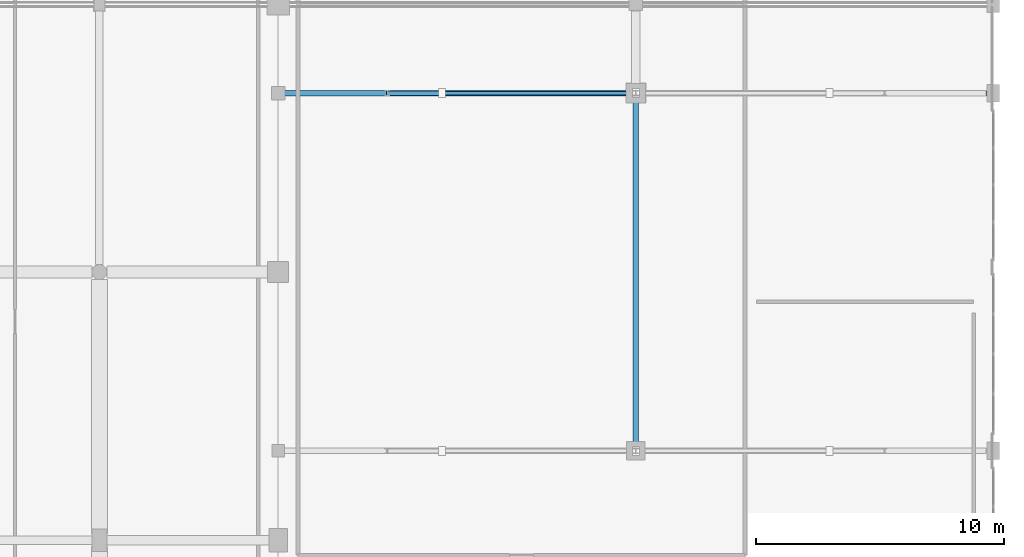
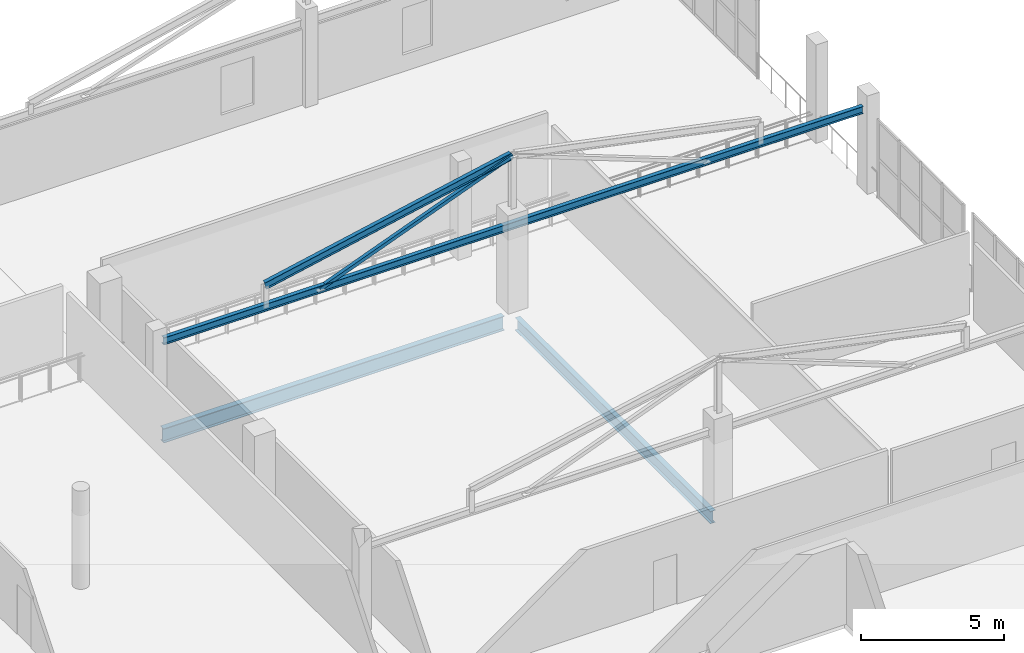
# One storey, part 36 of 92: 4 beams, 1 member.
"""IFC4 building model written with IfcOpenShell, lengths in metres."""

import ifcopenshell
import ifcopenshell.guid

model = None  # the IFC model being written
_history = None  # IfcOwnerHistory: only IFC2X3 demands one
_inside = {}  # id of a spatial element -> (the spatial element, [elements in it])
_under = {}  # id of a project, library or spatial element -> (it, [spatial elements below it])
_declared = {}  # id of a project -> (the project, [libraries it declares])
_typed = {}  # id of a type object -> (the type object, [elements of that type])
_made_of = {}  # id of a material, layer set ... -> (it, [elements and type objects made of it])


def new_model(schema):
    """Start an empty IFC model of exactly this schema.

    Asked for "IFC4X3", IfcOpenShell would pick the latest addendum, in which some entities
    have other attributes; the version numbers below select the first issue.
    IFC2X3 requires an IfcOwnerHistory on every rooted entity: one is made here for all.
    """
    global model, _history
    if schema == "IFC4X3":
        model = ifcopenshell.file(schema_version=(4, 3, 0, 0))
    else:
        model = ifcopenshell.file(schema=schema)
    _inside.clear()
    _under.clear()
    _declared.clear()
    _typed.clear()
    _made_of.clear()
    _history = None
    if model.schema == "IFC2X3":
        org = make("IfcOrganization", Name="unknown")
        user = make(
            "IfcPersonAndOrganization",
            ThePerson=make("IfcPerson", FamilyName="unknown"),
            TheOrganization=org,
        )
        app = make(
            "IfcApplication",
            ApplicationDeveloper=org,
            Version="unknown",
            ApplicationFullName="unknown",
            ApplicationIdentifier="unknown",
        )
        _history = make(
            "IfcOwnerHistory",
            OwningUser=user,
            OwningApplication=app,
            ChangeAction="ADDED",
            CreationDate=0,
        )
    return model


def make(cls, **values):
    """One entity of the class cls with the attributes given. An attribute that is None is left unset."""
    return model.create_entity(
        cls, **{name: value for name, value in values.items() if value is not None}
    )


def rooted(cls, **values):
    """An entity with a GlobalId (a new one), such as an element, a storey or a relation."""
    return make(cls, GlobalId=ifcopenshell.guid.new(), OwnerHistory=_history, **values)


def si_unit(unit_type, name, prefix=None):
    """IfcSIUnit, for example si_unit("LENGTHUNIT", "METRE", prefix="MILLI")."""
    return make("IfcSIUnit", UnitType=unit_type, Prefix=prefix, Name=name)


def assignment(units):
    """IfcUnitAssignment: the units of a project."""
    return None if units is None else make("IfcUnitAssignment", Units=units)


def point(xyz):
    """IfcCartesianPoint."""
    return None if xyz is None else make("IfcCartesianPoint", Coordinates=xyz)


def direction(xyz):
    """IfcDirection."""
    return None if xyz is None else make("IfcDirection", DirectionRatios=xyz)


def frame(location, z_axis=None, x_axis=None):
    """IfcAxis2Placement3D, a coordinate frame: its origin and axes. An axis left out is left unset."""
    return make(
        "IfcAxis2Placement3D",
        Location=point(location),
        Axis=direction(z_axis),
        RefDirection=direction(x_axis),
    )


def frame_2d(location, x_axis=None):
    """IfcAxis2Placement2D, a coordinate frame in the plane: its origin and x axis."""
    return make(
        "IfcAxis2Placement2D", Location=point(location), RefDirection=direction(x_axis)
    )


def origin():
    """The frame at (0, 0, 0) with its axes left unset."""
    return frame((0.0, 0.0, 0.0))


def origin_2d():
    """The frame at (0, 0) in the plane with its x axis left unset."""
    return frame_2d((0.0, 0.0))


def place(relative_to, where):
    """IfcLocalPlacement: puts the frame where relative to a parent placement (None: the world)."""
    return make(
        "IfcLocalPlacement", PlacementRelTo=relative_to, RelativePlacement=where
    )


def context(
    kind, dimensions, precision=None, world=None, true_north=None, identifier=None
):
    """IfcGeometricRepresentationContext, for example the 3D "Model" context."""
    return make(
        "IfcGeometricRepresentationContext",
        ContextIdentifier=identifier,
        ContextType=kind,
        CoordinateSpaceDimension=dimensions,
        Precision=precision,
        WorldCoordinateSystem=world,
        TrueNorth=true_north,
    )


def subcontext(parent, identifier, kind, view, scale=None):
    """IfcGeometricRepresentationSubContext, for example "Body" below "Model"."""
    return make(
        "IfcGeometricRepresentationSubContext",
        ContextIdentifier=identifier,
        ContextType=kind,
        ParentContext=parent,
        TargetScale=scale,
        TargetView=view,
    )


def project(units=None, contexts=None):
    """IfcProject with its units and contexts."""
    return rooted(
        "IfcProject",
        Name="project",
        RepresentationContexts=contexts,
        UnitsInContext=assignment(units),
    )


def spatial(cls, under=None, at=None, **own):
    """A site, building, storey or space (cls), placed at a placement, below another one or the project."""
    s = rooted(cls, ObjectPlacement=at, **own)
    if under is not None:
        _under.setdefault(under.id(), (under, []))[1].append(s)
    return s


def profile(cls, at=None, kind="AREA", **sizes):
    """A parametric profile (cls). Its sizes go by their IFC names, for example OverallWidth=200.0."""
    return make(cls, ProfileType=kind, Position=at, **sizes)


def hollow_rectangle(**sizes):
    """IfcRectangleHollowProfileDef."""
    return profile("IfcRectangleHollowProfileDef", **sizes)


def i_section(**sizes):
    """IfcIShapeProfileDef."""
    return profile("IfcIShapeProfileDef", **sizes)


def extrude(swept, where, along, depth):
    """IfcExtrudedAreaSolid: the profile swept, set in the frame where, extruded along a direction by depth."""
    return make(
        "IfcExtrudedAreaSolid",
        SweptArea=swept,
        Position=where,
        ExtrudedDirection=direction(along),
        Depth=depth,
    )


def shape(context_of_items, identifier, shape_type, items):
    """IfcShapeRepresentation: the items that make up one representation, for example the "Body"."""
    return make(
        "IfcShapeRepresentation",
        ContextOfItems=context_of_items,
        RepresentationIdentifier=identifier,
        RepresentationType=shape_type,
        Items=items,
    )


def material(Name=None, Category=None):
    """IfcMaterial."""
    return make("IfcMaterial", Name=Name, Category=Category)


def material_profile(
    of_material, cross_section, Name=None, Category=None, Priority=None
):
    """IfcMaterialProfile: a cross section and its material."""
    return make(
        "IfcMaterialProfile",
        Name=Name,
        Material=of_material,
        Profile=cross_section,
        Priority=Priority,
        Category=Category,
    )


def profile_set(profiles, Name=None, composite=None):
    """IfcMaterialProfileSet."""
    return make(
        "IfcMaterialProfileSet",
        Name=Name,
        MaterialProfiles=profiles,
        CompositeProfile=composite,
    )


def made_of(thing, what):
    """Note that an element or type object is made of a material, layer set ...; save() writes the relation."""
    if what is not None:
        _made_of.setdefault(what.id(), (what, []))[1].append(thing)
    return thing


def type_object(cls, material=None, **own):
    """A type object (cls), such as IfcWallType, which elements share."""
    return made_of(rooted(cls, **own), material)


def element(
    cls,
    number,
    at=None,
    inside=None,
    cuts=None,
    type_object=None,
    material=None,
    context=None,
    identifier="Body",
    shape_type=None,
    held_by="IfcProductDefinitionShape",
    body=None,
    shapes=None,
    **own,
):
    """One element of the class cls, such as IfcWall. Its Tag is "e" and its number.

    at: its placement. inside: the storey or other place that contains it. cuts: it is an
    opening in that element (IfcRelVoidsElement). A single representation is given by context,
    identifier, shape_type and body (its items); several are given by shapes. held_by: the class
    of the entity that holds the representations. save() writes the other relations.
    """
    e = rooted(cls, Tag="e%d" % number, ObjectPlacement=at, **own)
    if body is not None:
        shapes = [shape(context, identifier, shape_type, body)]
    if shapes is not None:
        e.Representation = make(held_by, Representations=shapes)
    if inside is not None:
        _inside.setdefault(inside.id(), (inside, []))[1].append(e)
    if cuts is not None:
        rooted(
            "IfcRelVoidsElement", RelatingBuildingElement=cuts, RelatedOpeningElement=e
        )
    if type_object is not None:
        _typed.setdefault(type_object.id(), (type_object, []))[1].append(e)
    return made_of(e, material)


def aggregate(whole, parts):
    """IfcRelAggregates: a whole, such as a stair, and the parts it consists of."""
    return rooted("IfcRelAggregates", RelatingObject=whole, RelatedObjects=parts)


def save(model, path):
    """Write the relations noted so far, then the file.

    IfcRelAggregates (storeys below a building ...), IfcRelContainedInSpatialStructure (elements
    in a storey), IfcRelDefinesByType, IfcRelAssociatesMaterial and IfcRelDeclares: one each for
    every whole, place, type object, material and project.
    """
    for whole, parts in _under.values():
        aggregate(whole, parts)
    for where, things in _inside.values():
        rooted(
            "IfcRelContainedInSpatialStructure",
            RelatedElements=things,
            RelatingStructure=where,
        )
    for kind, things in _typed.values():
        rooted("IfcRelDefinesByType", RelatedObjects=things, RelatingType=kind)
    for what, things in _made_of.values():
        rooted("IfcRelAssociatesMaterial", RelatedObjects=things, RelatingMaterial=what)
    for by, libraries in _declared.values():
        rooted("IfcRelDeclares", RelatingContext=by, RelatedDefinitions=libraries)
    model.write(path)


model = new_model("IFC4")

# Units and contexts
model_context = context("Model", 3, precision=1e-05, world=origin(), true_north=direction((0.0, 1.0)))
body_context = subcontext(model_context, "Body", "Model", "MODEL_VIEW")
ifc_project = project(units=[si_unit("LENGTHUNIT", "METRE"), si_unit("AREAUNIT", "SQUARE_METRE"), si_unit("VOLUMEUNIT", "CUBIC_METRE"), si_unit("PLANEANGLEUNIT", "RADIAN"), si_unit("MASSUNIT", "GRAM", prefix="KILO")], contexts=[model_context])

# Site, building, storey
site_placement = place(None, origin())
site = spatial("IfcSite", under=ifc_project, at=site_placement, CompositionType="ELEMENT")
building_placement = place(site_placement, origin())
building = spatial("IfcBuilding", under=site, at=building_placement, Name="Solanera Park Tramway Depot", CompositionType="ELEMENT")
storey_placement = place(building_placement, frame((0.0, 0.0, 4.800048828125)))
storey = spatial("IfcBuildingStorey", under=building, at=storey_placement, Name="L01", CompositionType="ELEMENT", Elevation=4.800048828125)

# Beams
ifc_material_1 = material(Name="Steel AS/NZS 3679.1 Grade 350", Category="steel")
ifc_material_profile_1 = material_profile(ifc_material_1, i_section(OverallWidth=0.166015625, OverallDepth=0.30712890625, WebThickness=0.006591796875, FlangeThickness=0.01171875, at=origin_2d()), Name="310UB46.2")
ifc_profile_set_1 = profile_set([ifc_material_profile_1], Name="Steel AS/NZS 3679.1 Grade 350")
beam_type_1 = type_object("IfcBeamType", Name="Steel Beam 310UB46.2", PredefinedType="BEAM", material=ifc_profile_set_1)
beam_1_placement = place(storey_placement, frame((187.47509765625, 50.39990234375, 3.451416015625), z_axis=(1.0, 0.0, 0.0), x_axis=(0.0, 1.0, 0.0)))
element("IfcBeam", 1, at=beam_1_placement, inside=storey, type_object=beam_type_1, Name="L01 Hip ROOF TRUSS Tie 310UB46.2 #1131", PredefinedType="BEAM", context=body_context, shape_type="SweptSolid", body=[
    extrude(i_section(OverallWidth=0.166015625, OverallDepth=0.30712890625, WebThickness=0.006591796875, FlangeThickness=0.01171875, at=origin_2d()), origin(), (0.0, 0.0, 1.0), 28.27490234375),
])
beam_2_placement = place(storey_placement, frame((191.60009765625, 50.39990234375, 4.37353515625), z_axis=(0.979186805273, 0.0, 0.202961080948), x_axis=(0.0, 1.0, 0.0)))
element("IfcBeam", 2, at=beam_2_placement, inside=storey, type_object=beam_type_1, Name="L01 Hip ROOF TRUSS Rafter 310UB46.2 #1132", PredefinedType="BEAM", context=body_context, shape_type="SweptSolid", body=[
    extrude(i_section(OverallWidth=0.166015625, OverallDepth=0.30712890625, WebThickness=0.006591796875, FlangeThickness=0.01171875, at=origin_2d()), origin(), (0.0, 0.0, 1.0), 10.151123046875),
])
ifc_material_2 = material(Name="Steel AS/NZS 3679.1 Grade 350", Category="steel")
ifc_material_profile_2 = material_profile(ifc_material_2, i_section(OverallWidth=0.209228515625, OverallDepth=0.532958984375, WebThickness=0.01025390625, FlangeThickness=0.015625, at=origin_2d()), Name="530UB92.4")
ifc_profile_set_2 = profile_set([ifc_material_profile_2], Name="Steel AS/NZS 3679.1 Grade 350")
beam_type_2 = type_object("IfcBeamType", Name="Steel Beam 530UB92.4", PredefinedType="BEAM", material=ifc_profile_set_2)
beam_3_placement = place(storey_placement, frame((201.60009765625, 36.35009765625, -0.5205078125), z_axis=(0.0, 1.0, 0.0), x_axis=(-1.0, 0.0, 0.0)))
element("IfcBeam", 3, at=beam_3_placement, inside=storey, type_object=beam_type_2, Name="L01 Primary Y-Girder 530UB92.4 #0085", PredefinedType="BEAM", context=body_context, shape_type="SweptSolid", body=[
    extrude(i_section(OverallWidth=0.209228515625, OverallDepth=0.532958984375, WebThickness=0.01025390625, FlangeThickness=0.015625, at=origin_2d()), origin(), (0.0, 0.0, 1.0), 13.6748046875),
])
ifc_material_3 = material(Name="Steel AS/NZS 3679.1 Grade 350", Category="steel")
ifc_material_profile_3 = material_profile(ifc_material_3, i_section(OverallWidth=0.22900390625, OverallDepth=0.611572265625, WebThickness=0.011962890625, FlangeThickness=0.01953125, at=origin_2d()), Name="610UB125")
ifc_profile_set_3 = profile_set([ifc_material_profile_3], Name="Steel AS/NZS 3679.1 Grade 350")
beam_type_3 = type_object("IfcBeamType", Name="Steel Beam 610UB125", PredefinedType="BEAM", material=ifc_profile_set_3)
beam_4_placement = place(storey_placement, frame((187.449951171875, 50.39990234375, -0.559814453125), z_axis=(1.0, 0.0, 0.0), x_axis=(0.0, 1.0, 0.0)))
element("IfcBeam", 4, at=beam_4_placement, inside=storey, type_object=beam_type_3, Name="L01 Primary X-Girder 610UB125 #0032", PredefinedType="BEAM", context=body_context, shape_type="SweptSolid", body=[
    extrude(i_section(OverallWidth=0.22900390625, OverallDepth=0.611572265625, WebThickness=0.011962890625, FlangeThickness=0.01953125, at=origin_2d()), origin(), (0.0, 0.0, 1.0), 13.775146484375),
])

# Member
ifc_material_4 = material(Name="Steel AS/NZS 1163 Grade C350L0", Category="steel")
ifc_material_profile_4 = material_profile(ifc_material_4, hollow_rectangle(XDim=0.14990234375, YDim=0.14990234375, WallThickness=0.006103515625, at=origin_2d()), Name="150x150x6.0 SHS")
ifc_profile_set_4 = profile_set([ifc_material_profile_4], Name="Steel AS/NZS 1163 Grade C350L0")
member_type = type_object("IfcMemberType", Name="Truss and Frame Brace 150x150x6.0 SHS", PredefinedType="BRACE", material=ifc_profile_set_4)
member_placement = place(storey_placement, frame((193.800048828125, 50.39990234375, 3.451416015625), z_axis=(0.934049826954, 0.0, 0.357142717646), x_axis=(0.0, 1.0, 0.0)))
element("IfcMember", 5, at=member_placement, inside=storey, type_object=member_type, Name="Hip ROOF TRUSS Web #0495", PredefinedType="BRACE", context=body_context, shape_type="SweptSolid", body=[
    extrude(hollow_rectangle(XDim=0.14990234375, YDim=0.14990234375, WallThickness=0.006103515625, at=origin_2d()), origin(), (0.0, 0.0, 1.0), 8.350830078125),
])

save(model, "model.ifc")
